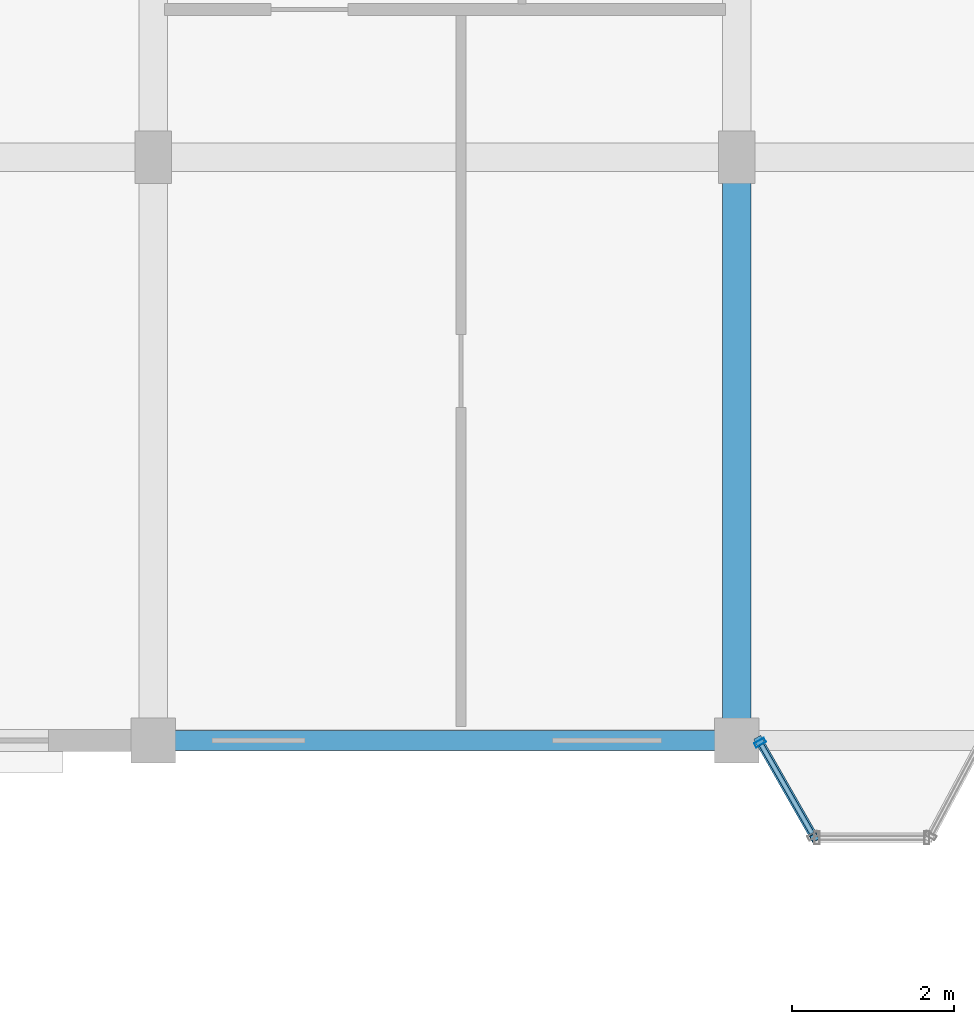
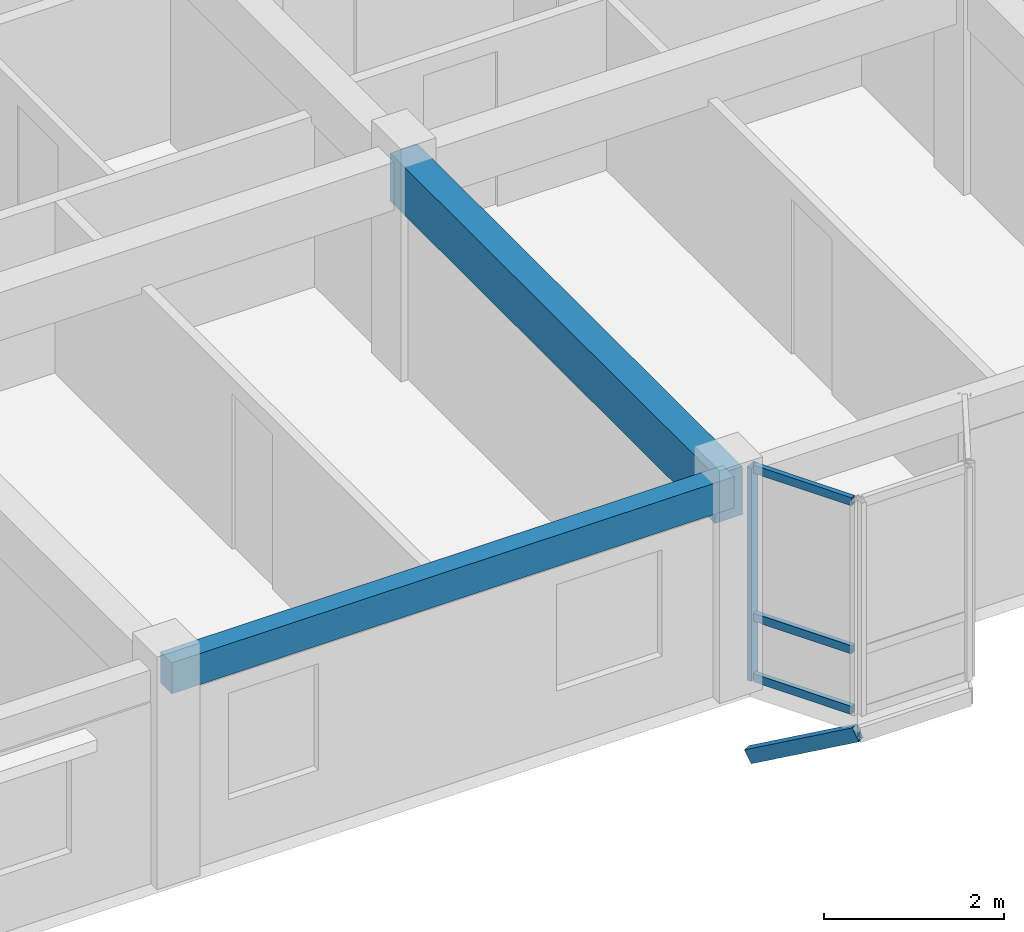
# One storey, part 35 of 77: 5 members, 2 beams, 1 element without a shape of its own.
"""IFC4 building model written with IfcOpenShell, lengths in metres."""

from ifc_helpers import new_model, si_unit, direction, frame, origin, origin_2d, place, context, subcontext, project, spatial, rectangle, hollow_rectangle, extrude, material, layer, layer_set, material_profile, profile_set, type_object, element, aggregate, save


model = new_model("IFC4")

# Units and contexts
model_context = context("Model", 3, precision=1e-05, world=origin(), true_north=direction((0.0, 1.0)))
body_context = subcontext(model_context, "Body", "Model", "MODEL_VIEW")
ifc_project = project(units=[si_unit("LENGTHUNIT", "METRE"), si_unit("AREAUNIT", "SQUARE_METRE"), si_unit("VOLUMEUNIT", "CUBIC_METRE"), si_unit("PLANEANGLEUNIT", "RADIAN"), si_unit("MASSUNIT", "GRAM", prefix="KILO"), si_unit("THERMODYNAMICTEMPERATUREUNIT", "KELVIN"), si_unit("POWERUNIT", "WATT")], contexts=[model_context])

# Site, building, storey
site_placement = place(None, origin())
site = spatial("IfcSite", under=ifc_project, at=site_placement, CompositionType="ELEMENT")
building_placement = place(site_placement, origin())
building = spatial("IfcBuilding", under=site, at=building_placement, Name="Tavuni Mirador Residences", CompositionType="ELEMENT")
storey_placement = place(building_placement, frame((0.0, 0.0, 10.800048828125)))
storey = spatial("IfcBuildingStorey", under=building, at=storey_placement, Name="L03", CompositionType="ELEMENT", Elevation=10.800048828125)

# Beams
ifc_material_1 = material(Name="Precast concrete C40/50", Category="concrete")
ifc_material_profile_1 = material_profile(ifc_material_1, rectangle(XDim=0.35009765625, YDim=0.64990234375, at=origin_2d()), Name="PC 350x650", Category="concrete")
ifc_profile_set_1 = profile_set([ifc_material_profile_1], Name="Precast concrete C40/50")
beam_type_1 = type_object("IfcBeamType", Name="BT-B650", PredefinedType="BEAM", material=ifc_profile_set_1)
beam_1_placement = place(storey_placement, frame((32.39990234375, 144.0, 2.56005859375), z_axis=(0.0, 1.0, 0.0), x_axis=(-1.0, 0.0, 0.0)))
element("IfcBeam", 1, at=beam_1_placement, inside=storey, type_object=beam_type_1, Name="BMY-BLK-C-L03-03-00", PredefinedType="BEAM", context=body_context, shape_type="SweptSolid", body=[
    extrude(rectangle(XDim=0.35009765625, YDim=0.64990234375, at=origin_2d()), origin(), (0.0, 0.0, 1.0), 7.199951171875),
])
ifc_material_profile_2 = material_profile(ifc_material_1, rectangle(XDim=0.25, YDim=0.419921875, at=origin_2d()), Name="PC 250x420", Category="concrete")
ifc_profile_set_2 = profile_set([ifc_material_profile_2], Name="Precast concrete C40/50")
beam_type_2 = type_object("IfcBeamType", Name="BT-SP420", PredefinedType="SPANDREL", material=ifc_profile_set_2)
beam_2_placement = place(storey_placement, frame((25.199951171875, 144.0, 2.675048828125), z_axis=(1.0, 0.0, 0.0), x_axis=(0.0, 1.0, 0.0)))
element("IfcBeam", 2, at=beam_2_placement, inside=storey, type_object=beam_type_2, Name="BMX-BLK-C-L03-02-00", PredefinedType="SPANDREL", context=body_context, shape_type="SweptSolid", body=[
    extrude(rectangle(XDim=0.25, YDim=0.419921875, at=origin_2d()), origin(), (0.0, 0.0, 1.0), 7.199951171875),
])

# Curtain wall, members
ifc_material_2 = material(Name="Anodised aluminium", Category="aluminium")
ifc_layer = layer(ifc_material_2, 0.175048828125, Name="Anodised aluminium", Category="aluminium")
ifc_layer_set = layer_set([ifc_layer], Name="Anodised aluminium")
curtain_wall_type = type_object("IfcCurtainWallType", Name="CWT-MIR-C", PredefinedType="NOTDEFINED", material=ifc_layer_set)
curtain_wall_placement = place(storey_placement, origin())
curtain_wall = element("IfcCurtainWall", 3, at=curtain_wall_placement, inside=storey, type_object=curtain_wall_type, Name="CW-MIR-C-S2-L03-M1", PredefinedType="NOTDEFINED")
ifc_material_profile_3 = material_profile(ifc_material_2, hollow_rectangle(XDim=0.06005859375, YDim=0.139892578125, WallThickness=0.00390625, at=origin_2d()), Name="ALU 60x140x4.0", Category="aluminium")
ifc_profile_set_3 = profile_set([ifc_material_profile_3], Name="Anodised aluminium")
member_type_1 = type_object("IfcMemberType", Name="CWM-140", PredefinedType="MULLION", material=ifc_profile_set_3)
member_1_placement = place(storey_placement, frame((32.68994140625, 143.973876953125, 0.0), z_axis=(0.0, 0.0, 1.0), x_axis=(0.495749192217, -0.868465738194, 0.0)))
member_1 = element("IfcMember", 4, at=member_1_placement, type_object=member_type_1, Name="CW-03 mullion 1", PredefinedType="MULLION", context=body_context, shape_type="SweptSolid", body=[
    extrude(hollow_rectangle(XDim=0.06005859375, YDim=0.139892578125, WallThickness=0.00390625, at=origin_2d()), origin(), (0.0, 0.0, 1.0), 2.885009765625),
])
ifc_material_profile_4 = material_profile(ifc_material_2, hollow_rectangle(XDim=0.06005859375, YDim=0.110107421875, WallThickness=0.00390625, at=origin_2d()), Name="ALU 60x110x4.0", Category="aluminium")
ifc_profile_set_4 = profile_set([ifc_material_profile_4], Name="Anodised aluminium")
member_type_2 = type_object("IfcMemberType", Name="CWT-110", PredefinedType="USERDEFINED", material=ifc_profile_set_4)
member_2_placement = place(storey_placement, frame((32.704833984375, 143.947998046875, 0.030029296875), z_axis=(0.49568048457, -0.868504955205, 0.0), x_axis=(0.868504955205, 0.49568048457, 0.0)))
member_2 = element("IfcMember", 5, at=member_2_placement, type_object=member_type_2, Name="CW-03 transom 1.1", ObjectType="TRANSOM", PredefinedType="USERDEFINED", context=body_context, shape_type="SweptSolid", body=[
    extrude(hollow_rectangle(XDim=0.06005859375, YDim=0.110107421875, WallThickness=0.00390625, at=origin_2d()), origin(), (0.0, 0.0, 1.0), 1.261962890625),
])
member_3_placement = place(storey_placement, frame((32.704833984375, 143.947998046875, 0.849853515625), z_axis=(0.49568048457, -0.868504955205, 0.0), x_axis=(0.868504955205, 0.49568048457, 0.0)))
member_3 = element("IfcMember", 6, at=member_3_placement, type_object=member_type_2, Name="CW-03 transom 1.2", ObjectType="TRANSOM", PredefinedType="USERDEFINED", context=body_context, shape_type="SweptSolid", body=[
    extrude(hollow_rectangle(XDim=0.06005859375, YDim=0.110107421875, WallThickness=0.00390625, at=origin_2d()), origin(), (0.0, 0.0, 1.0), 1.261962890625),
])
member_4_placement = place(storey_placement, frame((32.704833984375, 143.947998046875, 2.85498046875), z_axis=(0.49568048457, -0.868504955205, 0.0), x_axis=(0.868504955205, 0.49568048457, 0.0)))
member_4 = element("IfcMember", 7, at=member_4_placement, type_object=member_type_2, Name="CW-03 transom 1.3", ObjectType="TRANSOM", PredefinedType="USERDEFINED", context=body_context, shape_type="SweptSolid", body=[
    extrude(hollow_rectangle(XDim=0.06005859375, YDim=0.110107421875, WallThickness=0.00390625, at=origin_2d()), origin(), (0.0, 0.0, 1.0), 1.261962890625),
])
aggregate(curtain_wall, [member_1, member_2, member_3, member_4])

# Member
ifc_material_3 = material(Name="Structural steel S355", Category="steel")
ifc_material_profile_5 = material_profile(ifc_material_3, hollow_rectangle(XDim=0.10009765625, YDim=0.179931640625, WallThickness=0.008056640625, at=origin_2d()), Name="RHS 180x100x8.0", Category="steel")
ifc_profile_set_5 = profile_set([ifc_material_profile_5], Name="Structural steel S355")
member_type_3 = type_object("IfcMemberType", Name="MT-BR-RHS180", PredefinedType="BRACE", material=ifc_profile_set_5)
member_5_placement = place(storey_placement, frame((32.675048828125, 144.0, -1.050048828125), z_axis=(0.431095380922, -0.755108267011, 0.493931450344), x_axis=(0.868438794398, 0.495796390047, 0.0)))
element("IfcMember", 8, at=member_5_placement, inside=storey, type_object=member_type_3, Name="MBRK-MIR-C-S2-L03-1", PredefinedType="BRACE", context=body_context, shape_type="SweptSolid", body=[
    extrude(hollow_rectangle(XDim=0.10009765625, YDim=0.179931640625, WallThickness=0.008056640625, at=origin_2d()), origin(), (0.0, 0.0, 1.0), 1.589111328125),
])

save(model, "model.ifc")
